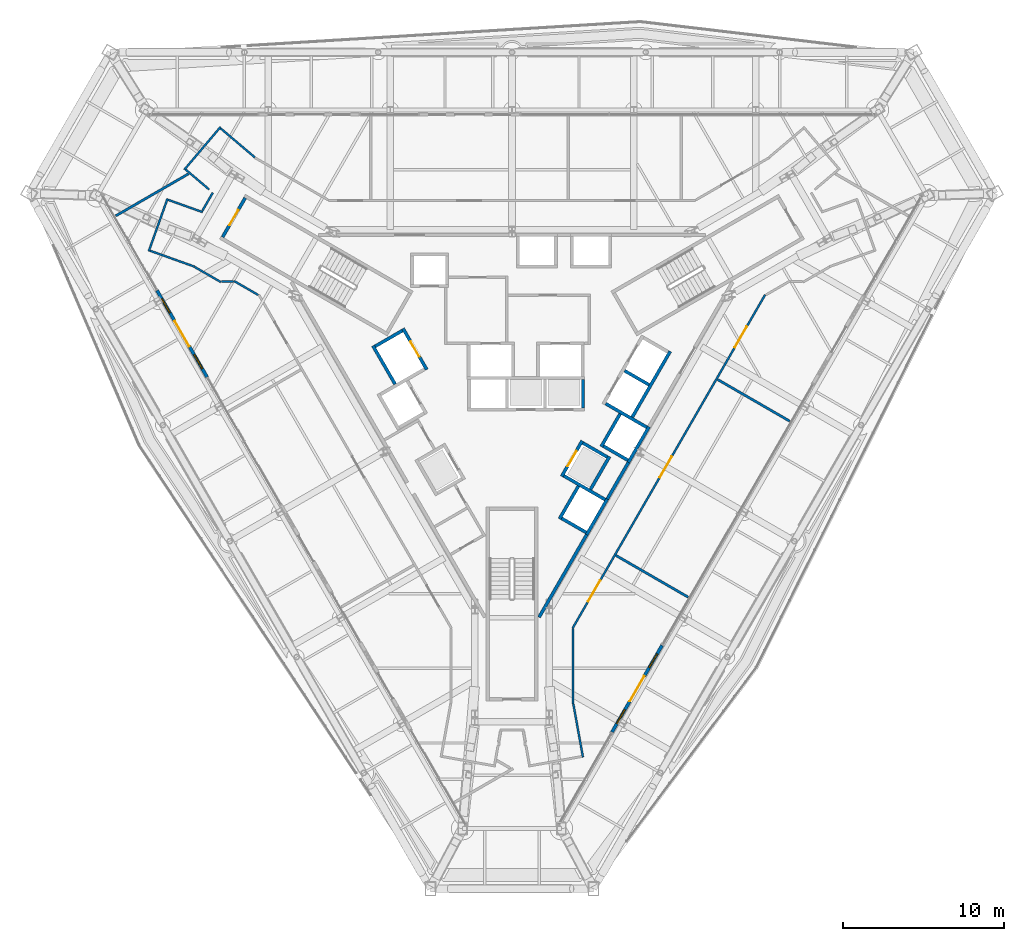
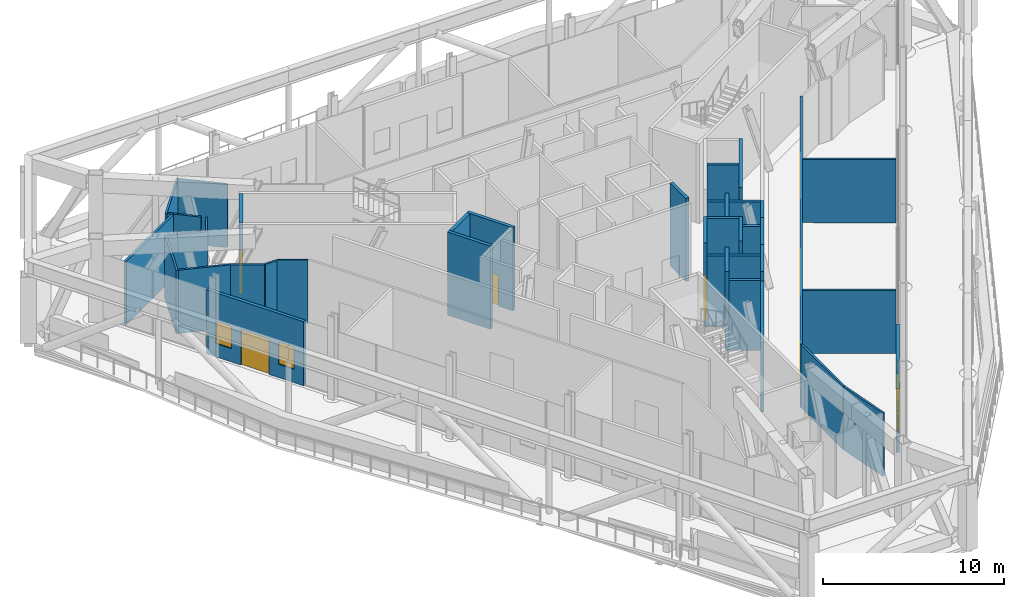
# One storey, part 16 of 25: 38 walls, 8 doors, 4 windows, 12 openings.
"""IFC4 building model written with IfcOpenShell, lengths in metres."""

from ifc_helpers import new_model, si_unit, direction, frame, frame_2d, origin, place, context, subcontext, project, spatial, rectangle, extrude, material, layer, layer_set, type_object, element, fill, save


model = new_model("IFC4")

# Units and contexts
model_context = context("Model", 3, precision=1e-05, world=origin(), true_north=direction((0.0, 1.0)))
body_context = subcontext(model_context, "Body", "Model", "MODEL_VIEW")
ifc_project = project(units=[si_unit("LENGTHUNIT", "METRE"), si_unit("AREAUNIT", "SQUARE_METRE"), si_unit("VOLUMEUNIT", "CUBIC_METRE"), si_unit("PLANEANGLEUNIT", "RADIAN"), si_unit("MASSUNIT", "GRAM", prefix="KILO")], contexts=[model_context])

# Site, building, storey
site_placement = place(None, origin())
site = spatial("IfcSite", under=ifc_project, at=site_placement, CompositionType="ELEMENT")
building_placement = place(site_placement, origin())
building = spatial("IfcBuilding", under=site, at=building_placement, Name="Verrane Prism Tower", CompositionType="ELEMENT")
storey_placement = place(building_placement, frame((0.0, 0.0, 143.199951171875)))
storey = spatial("IfcBuildingStorey", under=building, at=storey_placement, Name="L35", CompositionType="ELEMENT", Elevation=143.199951171875)

# Walls
ifc_material_1 = material(Name="Gypsum board partition", Category="other")
ifc_layer_1 = layer(ifc_material_1, 0.199951171875)
ifc_layer_set_1 = layer_set([ifc_layer_1], Name="CW-200 core boundary wall 2 h")
wall_type_1 = type_object("IfcWallType", Name="CW-200 core boundary wall 2 h", PredefinedType="PARTITIONING", material=ifc_layer_set_1)
wall_1_placement = place(storey_placement, frame((1.677490234375, -14.814697265625, 0.0), z_axis=(0.0, 0.0, 1.0), x_axis=(0.49999445743, 0.866028603765, 0.0)))
element("IfcWall", 1, at=wall_1_placement, inside=storey, type_object=wall_type_1, Name="Core boundary wall CW3-004", PredefinedType="PARTITIONING", context=body_context, shape_type="SweptSolid", body=[
    extrude(rectangle(XDim=5.90478515625, YDim=0.199951171875, at=frame_2d((2.952392578125, 0.0))), origin(), (0.0, 0.0, 1.0), 4.69677734375),
])
wall_2_placement = place(storey_placement, frame((5.906005859375, -7.489990234375, 0.0), z_axis=(0.0, 0.0, 1.0), x_axis=(0.500252727967, 0.865879442048, 0.0)))
element("IfcWall", 2, at=wall_2_placement, inside=storey, type_object=wall_type_1, Name="Core boundary wall CW3-006", PredefinedType="PARTITIONING", context=body_context, shape_type="SweptSolid", body=[
    extrude(rectangle(XDim=2.616943359375, YDim=0.199951171875, at=frame_2d((1.30859375, 0.0))), origin(), (0.0, 0.0, 1.0), 5.35009765625),
])

# Wall, opening, door
ifc_material_2 = material(Name="Concrete C40/50", Category="concrete")
ifc_layer_2 = layer(ifc_material_2, 0.199951171875)
ifc_layer_set_2 = layer_set([ifc_layer_2], Name="CW-200 stair core wall concrete C40/50 3 h")
wall_type_2 = type_object("IfcWallType", Name="CW-200 stair core wall concrete C40/50 3 h", PredefinedType="PARTITIONING", material=ifc_layer_set_2)
wall_3_placement = place(storey_placement, frame((-16.533935546875, 11.162353515625, 0.0), z_axis=(0.0, 0.0, 1.0), x_axis=(-0.49998411664, -0.866034573852, 0.0)))
wall_3 = element("IfcWall", 3, at=wall_3_placement, inside=storey, type_object=wall_type_2, Name="Stair 2 enclosure wall", PredefinedType="PARTITIONING", context=body_context, shape_type="SweptSolid", body=[
    extrude(rectangle(XDim=2.7998046875, YDim=0.199951171875, at=frame_2d((1.39990234375, 0.0))), origin(), (0.0, 0.0, 1.0), 5.35009765625),
])
opening_1_placement = place(wall_3_placement, frame((0.849853515625, 0.0, 0.0)))
opening_1 = element("IfcOpeningElement", 4, at=opening_1_placement, cuts=wall_3, Name="Opening D35501", PredefinedType="OPENING", context=body_context, shape_type="SweptSolid", body=[
    extrude(rectangle(XDim=1.10009765625, YDim=2.10009765625, at=frame_2d((0.550048828125, 1.050048828125))), frame((0.0, 0.10986328125, 0.0), z_axis=(0.0, -1.0, 0.0), x_axis=(1.0, 0.0, 0.0)), (0.0, 0.0, 1.0), 0.219970703125),
])
ifc_material_3 = material(Name="Timber veneered door leaf", Category="wood")
door_type_1 = type_object("IfcDoorType", Name="DR-1100x2100 FD90 single leaf stair", OperationType="NOTDEFINED", PredefinedType="DOOR", material=ifc_material_3)
door_1_placement = place(opening_1_placement, origin())
door_1 = element("IfcDoor", 5, at=door_1_placement, inside=storey, type_object=door_type_1, Name="Stair 2 door", OperationType="SINGLE_SWING_RIGHT", OverallHeight=2.10009765625, OverallWidth=1.10009765625, PredefinedType="DOOR", context=body_context, shape_type="SweptSolid", body=[
    extrude(rectangle(XDim=1.10009765625, YDim=2.10009765625, at=frame_2d((0.550048828125, 1.050048828125))), frame((0.0, 0.02490234375, 0.0), z_axis=(0.0, -1.0, 0.0), x_axis=(1.0, 0.0, 0.0)), (0.0, 0.0, 1.0), 0.050048828125),
])
fill(opening_1, door_1)

# Walls
ifc_material_4 = material(Name="Gypsum board shaft wall assembly", Category="other")
ifc_layer_3 = layer(ifc_material_4, 0.199951171875)
ifc_layer_set_3 = layer_set([ifc_layer_3], Name="HW-200 lift shaft wall 2 h")
wall_type_3 = type_object("IfcWallType", Name="HW-200 lift shaft wall 2 h", PredefinedType="PARTITIONING", material=ifc_layer_set_3)
wall_4_placement = place(storey_placement, frame((-8.48046875, 1.968505859375, 0.0), z_axis=(0.0, 0.0, 1.0), x_axis=(0.866000020948, 0.500043961785, 0.0)))
element("IfcWall", 6, at=wall_4_placement, inside=storey, type_object=wall_type_3, Name="Lift shaft wall", PredefinedType="PARTITIONING", context=body_context, shape_type="SweptSolid", body=[
    extrude(rectangle(XDim=1.949951171875, YDim=0.199951171875, at=frame_2d((0.97509765625, 0.0))), origin(), (0.0, 0.0, 1.0), 5.60009765625),
])
wall_5_placement = place(storey_placement, frame((4.63037109375, -9.69970703125, 0.0), z_axis=(0.0, 0.0, 1.0), x_axis=(0.500062241894, 0.865989465428, 0.0)))
element("IfcWall", 7, at=wall_5_placement, inside=storey, type_object=wall_type_3, Name="Lift shaft wall", PredefinedType="PARTITIONING", context=body_context, shape_type="SweptSolid", body=[
    extrude(rectangle(XDim=2.550048828125, YDim=0.199951171875, at=frame_2d((1.27490234375, 0.0))), origin(), (0.0, 0.0, 1.0), 5.35009765625),
])
wall_6_placement = place(storey_placement, frame((7.215576171875, -5.222412109375, 0.0), z_axis=(0.0, 0.0, 1.0), x_axis=(0.499990435942, 0.866030925526, 0.0)))
element("IfcWall", 8, at=wall_6_placement, inside=storey, type_object=wall_type_3, Name="Lift shaft wall", PredefinedType="PARTITIONING", context=body_context, shape_type="SweptSolid", body=[
    extrude(rectangle(XDim=2.5498046875, YDim=0.199951171875, at=frame_2d((1.27490234375, 0.0))), origin(), (0.0, 0.0, 1.0), 4.69677734375),
])
wall_7_placement = place(storey_placement, frame((4.8662109375, -6.891357421875, 0.0), z_axis=(0.0, 0.0, 1.0), x_axis=(0.500016218704, 0.866016039709, 0.0)))
element("IfcWall", 9, at=wall_7_placement, inside=storey, type_object=wall_type_3, Name="Lift shaft wall", PredefinedType="PARTITIONING", context=body_context, shape_type="SweptSolid", body=[
    extrude(rectangle(XDim=2.35009765625, YDim=0.199951171875, at=frame_2d((1.175048828125, 0.0))), origin(), (0.0, 0.0, 1.0), 5.60009765625),
])
wall_8_placement = place(storey_placement, frame((7.451171875, -2.4140625, 0.0), z_axis=(0.0, 0.0, 1.0), x_axis=(0.500016218704, 0.866016039709, 0.0)))
element("IfcWall", 10, at=wall_8_placement, inside=storey, type_object=wall_type_3, Name="Lift shaft wall", PredefinedType="PARTITIONING", context=body_context, shape_type="SweptSolid", body=[
    extrude(rectangle(XDim=4.699951171875, YDim=0.199951171875, at=frame_2d((2.35009765625, 0.0))), origin(), (0.0, 0.0, 1.0), 5.60009765625),
])
wall_9_placement = place(storey_placement, frame((2.941650390625, -8.724853515625, 0.0), z_axis=(0.0, 0.0, 1.0), x_axis=(0.500016218704, 0.866016039709, 0.0)))
element("IfcWall", 11, at=wall_9_placement, inside=storey, type_object=wall_type_3, Name="Lift shaft wall", PredefinedType="PARTITIONING", context=body_context, shape_type="SweptSolid", body=[
    extrude(rectangle(XDim=2.35009765625, YDim=0.199951171875, at=frame_2d((1.175048828125, 0.0))), origin(), (0.0, 0.0, 1.0), 5.35009765625),
])
wall_10_placement = place(storey_placement, frame((5.52685546875, -4.247314453125, 0.0), z_axis=(0.0, 0.0, 1.0), x_axis=(0.499938297808, 0.866061024631, 0.0)))
element("IfcWall", 12, at=wall_10_placement, inside=storey, type_object=wall_type_3, Name="Lift shaft wall", PredefinedType="PARTITIONING", context=body_context, shape_type="SweptSolid", body=[
    extrude(rectangle(XDim=2.349853515625, YDim=0.199951171875, at=frame_2d((1.1748046875, 0.0))), origin(), (0.0, 0.0, 1.0), 5.35009765625),
])

# Wall, opening, door
wall_11_placement = place(storey_placement, frame((3.077392578125, -6.089599609375, 0.0), z_axis=(0.0, 0.0, 1.0), x_axis=(0.500062241894, 0.865989465428, 0.0)))
wall_11 = element("IfcWall", 13, at=wall_11_placement, inside=storey, type_object=wall_type_3, Name="Lift shaft wall", PredefinedType="PARTITIONING", context=body_context, shape_type="SweptSolid", body=[
    extrude(rectangle(XDim=2.550048828125, YDim=0.199951171875, at=frame_2d((1.27490234375, 0.0))), origin(), (0.0, 0.0, 1.0), 5.60009765625),
])
opening_2_placement = place(wall_11_placement, frame((0.72509765625, 0.0, 0.0)))
opening_2 = element("IfcOpeningElement", 14, at=opening_2_placement, cuts=wall_11, Name="Opening D35509", PredefinedType="OPENING", context=body_context, shape_type="SweptSolid", body=[
    extrude(rectangle(XDim=1.10009765625, YDim=2.10009765625, at=frame_2d((0.550048828125, 1.050048828125))), frame((0.0, 0.10986328125, 0.0), z_axis=(0.0, -1.0, 0.0), x_axis=(1.0, 0.0, 0.0)), (0.0, 0.0, 1.0), 0.219970703125),
])
ifc_material_5 = material(Name="Stainless steel sliding landing door", Category="steel")
door_type_2 = type_object("IfcDoorType", Name="LD-1100x2100 lift landing door FD90 sliding", OperationType="NOTDEFINED", PredefinedType="DOOR", material=ifc_material_5)
door_2_placement = place(opening_2_placement, origin())
door_2 = element("IfcDoor", 15, at=door_2_placement, inside=storey, type_object=door_type_2, Name="Bank B lift 3 landing door", OperationType="SLIDING_TO_LEFT", OverallHeight=2.10009765625, OverallWidth=1.10009765625, PredefinedType="DOOR", context=body_context, shape_type="SweptSolid", body=[
    extrude(rectangle(XDim=1.10009765625, YDim=2.10009765625, at=frame_2d((0.550048828125, 1.050048828125))), frame((0.0, 0.02490234375, 0.0), z_axis=(0.0, -1.0, 0.0), x_axis=(1.0, 0.0, 0.0)), (0.0, 0.0, 1.0), 0.050048828125),
])
fill(opening_2, door_2)

# Wall
wall_12_placement = place(storey_placement, frame((4.39501953125, -1.85009765625, 0.0), z_axis=(0.0, 0.0, 1.0), x_axis=(0.0, 1.0, 0.0)))
element("IfcWall", 16, at=wall_12_placement, inside=storey, type_object=wall_type_3, Name="Lift shaft wall", PredefinedType="PARTITIONING", context=body_context, shape_type="SweptSolid", body=[
    extrude(rectangle(XDim=1.75, YDim=0.199951171875, at=frame_2d((0.875, 0.0))), origin(), (0.0, 0.0, 1.0), 5.60009765625),
])

# Wall, opening, door
wall_13_placement = place(storey_placement, frame((-5.280029296875, 0.525390625, 0.0), z_axis=(0.0, 0.0, 1.0), x_axis=(-0.500037662692, 0.866003658127, 0.0)))
wall_13 = element("IfcWall", 17, at=wall_13_placement, inside=storey, type_object=wall_type_3, Name="Lift shaft wall", PredefinedType="PARTITIONING", context=body_context, shape_type="SweptSolid", body=[
    extrude(rectangle(XDim=2.949951171875, YDim=0.199951171875, at=frame_2d((1.47509765625, 0.0))), origin(), (0.0, 0.0, 1.0), 5.60009765625),
])
opening_3_placement = place(wall_13_placement, frame((0.925048828125, 0.0, 0.0)))
opening_3 = element("IfcOpeningElement", 18, at=opening_3_placement, cuts=wall_13, Name="Opening D35513", PredefinedType="OPENING", context=body_context, shape_type="SweptSolid", body=[
    extrude(rectangle(XDim=1.10009765625, YDim=2.10009765625, at=frame_2d((0.550048828125, 1.050048828125))), frame((0.0, 0.10986328125, 0.0), z_axis=(0.0, -1.0, 0.0), x_axis=(1.0, 0.0, 0.0)), (0.0, 0.0, 1.0), 0.219970703125),
])
door_3_placement = place(opening_3_placement, origin())
door_3 = element("IfcDoor", 19, at=door_3_placement, inside=storey, type_object=door_type_2, Name="Service lift 1 landing door", OperationType="SLIDING_TO_LEFT", OverallHeight=2.10009765625, OverallWidth=1.10009765625, PredefinedType="DOOR", context=body_context, shape_type="SweptSolid", body=[
    extrude(rectangle(XDim=1.10009765625, YDim=2.10009765625, at=frame_2d((0.550048828125, 1.050048828125))), frame((0.0, 0.02490234375, 0.0), z_axis=(0.0, -1.0, 0.0), x_axis=(1.0, 0.0, 0.0)), (0.0, 0.0, 1.0), 0.050048828125),
])
fill(opening_3, door_3)

# Walls
wall_14_placement = place(storey_placement, frame((-7.241943359375, -0.37646484375, 0.0), z_axis=(0.0, 0.0, 1.0), x_axis=(-0.499996545922, 0.866027397988, 0.0)))
element("IfcWall", 20, at=wall_14_placement, inside=storey, type_object=wall_type_3, Name="Lift shaft wall", PredefinedType="PARTITIONING", context=body_context, shape_type="SweptSolid", body=[
    extrude(rectangle(XDim=2.75, YDim=0.199951171875, at=frame_2d((1.375, 0.0))), origin(), (0.0, 0.0, 1.0), 5.60009765625),
])
wall_15_placement = place(storey_placement, frame((8.48974609375, -0.41552734375, 0.0), z_axis=(0.0, 0.0, 1.0), x_axis=(-0.866036909293, 0.499980071345, 0.0)))
element("IfcWall", 21, at=wall_15_placement, inside=storey, type_object=wall_type_3, Name="Lift shaft wall", PredefinedType="PARTITIONING", context=body_context, shape_type="SweptSolid", body=[
    extrude(rectangle(XDim=1.75, YDim=0.199951171875, at=frame_2d((0.875, 0.0))), origin(), (0.0, 0.0, 1.0), 5.60009765625),
])
wall_16_placement = place(storey_placement, frame((8.35400390625, -3.050537109375, 0.0), z_axis=(0.0, 0.0, 1.0), x_axis=(-0.866060182126, 0.499939757307, 0.0)))
element("IfcWall", 22, at=wall_16_placement, inside=storey, type_object=wall_type_3, Name="Lift shaft wall", PredefinedType="PARTITIONING", context=body_context, shape_type="SweptSolid", body=[
    extrude(rectangle(XDim=2.949951171875, YDim=0.199951171875, at=frame_2d((1.47509765625, 0.0))), origin(), (0.0, 0.0, 1.0), 4.73291015625),
])
wall_17_placement = place(storey_placement, frame((7.178955078125, -5.085693359375, 0.0), z_axis=(0.0, 0.0, 1.0), x_axis=(-0.866036909293, 0.499980071345, 0.0)))
element("IfcWall", 23, at=wall_17_placement, inside=storey, type_object=wall_type_3, Name="Lift shaft wall", PredefinedType="PARTITIONING", context=body_context, shape_type="SweptSolid", body=[
    extrude(rectangle(XDim=1.75, YDim=0.199951171875, at=frame_2d((0.875, 0.0))), origin(), (0.0, 0.0, 1.0), 4.73291015625),
])
wall_18_placement = place(storey_placement, frame((5.904541015625, -4.892822265625, 0.0), z_axis=(0.0, 0.0, 1.0), x_axis=(-0.866002029911, 0.500040482552, 0.0)))
element("IfcWall", 24, at=wall_18_placement, inside=storey, type_object=wall_type_3, Name="Lift shaft wall", PredefinedType="PARTITIONING", context=body_context, shape_type="SweptSolid", body=[
    extrude(rectangle(XDim=1.749755859375, YDim=0.199951171875, at=frame_2d((0.875, 0.0))), origin(), (0.0, 0.0, 1.0), 5.60009765625),
])
wall_19_placement = place(storey_placement, frame((5.768798828125, -7.528076171875, 0.0), z_axis=(0.0, 0.0, 1.0), x_axis=(-0.866003658127, 0.500037662692, 0.0)))
element("IfcWall", 25, at=wall_19_placement, inside=storey, type_object=wall_type_3, Name="Lift shaft wall", PredefinedType="PARTITIONING", context=body_context, shape_type="SweptSolid", body=[
    extrude(rectangle(XDim=2.949951171875, YDim=0.199951171875, at=frame_2d((1.47509765625, 0.0))), origin(), (0.0, 0.0, 1.0), 4.73291015625),
])
wall_20_placement = place(storey_placement, frame((4.593994140625, -9.563232421875, 0.0), z_axis=(0.0, 0.0, 1.0), x_axis=(-0.866036909293, 0.499980071345, 0.0)))
element("IfcWall", 26, at=wall_20_placement, inside=storey, type_object=wall_type_3, Name="Lift shaft wall", PredefinedType="PARTITIONING", context=body_context, shape_type="SweptSolid", body=[
    extrude(rectangle(XDim=1.75, YDim=0.199951171875, at=frame_2d((0.875, 0.0))), origin(), (0.0, 0.0, 1.0), 4.73291015625),
])
ifc_material_6 = material(Name="Gypsum board partition", Category="other")
ifc_layer_4 = layer(ifc_material_6, 0.125)
ifc_layer_set_4 = layer_set([ifc_layer_4], Name="PW-125 corridor wall 1 h")
wall_type_4 = type_object("IfcWallType", Name="PW-125 corridor wall 1 h", PredefinedType="PARTITIONING", material=ifc_layer_set_4)
wall_21_placement = place(storey_placement, frame((-22.508056640625, 7.856201171875, 0.0), z_axis=(0.0, 0.0, 1.0), x_axis=(0.335547849287, 0.942023163642, 0.0)))
element("IfcWall", 27, at=wall_21_placement, inside=storey, type_object=wall_type_4, Name="Corridor wall 002", PredefinedType="PARTITIONING", context=body_context, shape_type="SweptSolid", body=[
    extrude(rectangle(XDim=3.47216796875, YDim=0.125, at=frame_2d((1.736083984375, 0.0))), origin(), (0.0, 0.0, 1.0), 4.261962890625),
])
wall_22_placement = place(storey_placement, frame((-22.42578125, 7.89306640625, 0.0), z_axis=(0.0, 0.0, 1.0), x_axis=(0.94150714771, -0.336993013001, 0.0)))
element("IfcWall", 28, at=wall_22_placement, inside=storey, type_object=wall_type_4, Name="Corridor wall 003", PredefinedType="PARTITIONING", context=body_context, shape_type="SweptSolid", body=[
    extrude(rectangle(XDim=2.92041015625, YDim=0.125, at=frame_2d((1.460205078125, 0.0))), origin(), (0.0, 0.0, 1.0), 4.261962890625),
])
wall_23_placement = place(storey_placement, frame((-21.302734375, 11.046142578125, 0.0), z_axis=(0.0, 0.0, 1.0), x_axis=(0.941644548389, -0.336608889499, 0.0)))
element("IfcWall", 29, at=wall_23_placement, inside=storey, type_object=wall_type_4, Name="Corridor wall 004", PredefinedType="PARTITIONING", context=body_context, shape_type="SweptSolid", body=[
    extrude(rectangle(XDim=2.270263671875, YDim=0.125, at=frame_2d((1.13525390625, 0.0))), origin(), (0.0, 0.0, 1.0), 4.261962890625),
])
wall_24_placement = place(storey_placement, frame((-20.21533203125, 12.9189453125, 0.0), z_axis=(0.0, 0.0, 1.0), x_axis=(0.762459174638, -0.647036325881, 0.0)))
element("IfcWall", 30, at=wall_24_placement, inside=storey, type_object=wall_type_4, Name="Corridor wall 005", PredefinedType="PARTITIONING", context=body_context, shape_type="SweptSolid", body=[
    extrude(rectangle(XDim=1.8994140625, YDim=0.125, at=frame_2d((0.94970703125, 0.0))), origin(), (0.0, 0.0, 1.0), 4.261962890625),
])
wall_25_placement = place(storey_placement, frame((-20.305419921875, 12.913330078125, 0.0), z_axis=(0.0, 0.0, 1.0), x_axis=(0.646921713651, 0.762556421785, 0.0)))
element("IfcWall", 31, at=wall_25_placement, inside=storey, type_object=wall_type_4, Name="Corridor wall 006", PredefinedType="PARTITIONING", context=body_context, shape_type="SweptSolid", body=[
    extrude(rectangle(XDim=3.47314453125, YDim=0.125, at=frame_2d((1.736572265625, 0.0))), origin(), (0.0, 0.0, 1.0), 4.261962890625),
])
wall_26_placement = place(storey_placement, frame((-19.670166015625, 6.892578125, 0.0), z_axis=(0.0, 0.0, 1.0), x_axis=(0.866066508296, -0.499928798138, 0.0)))
element("IfcWall", 32, at=wall_26_placement, inside=storey, type_object=wall_type_4, Name="Corridor wall 007", PredefinedType="PARTITIONING", context=body_context, shape_type="SweptSolid", body=[
    extrude(rectangle(XDim=1.877685546875, YDim=0.125, at=frame_2d((0.93896484375, 0.0))), origin(), (0.0, 0.0, 1.0), 4.261962890625),
])
wall_27_placement = place(storey_placement, frame((-19.1865234375, 10.367919921875, 0.0), z_axis=(0.0, 0.0, 1.0), x_axis=(0.500318258544, 0.86584157914, 0.0)))
element("IfcWall", 33, at=wall_27_placement, inside=storey, type_object=wall_type_4, Name="Corridor wall 008", PredefinedType="PARTITIONING", context=body_context, shape_type="SweptSolid", body=[
    extrude(rectangle(XDim=1.300537109375, YDim=0.125, at=frame_2d((0.650390625, 0.0))), origin(), (0.0, 0.0, 1.0), 4.261962890625),
])
wall_28_placement = place(storey_placement, frame((-18.04931640625, 15.471923828125, 0.0), z_axis=(0.0, 0.0, 1.0), x_axis=(0.762579987285, -0.646893934886, 0.0)))
element("IfcWall", 34, at=wall_28_placement, inside=storey, type_object=wall_type_4, Name="Corridor wall 009", PredefinedType="PARTITIONING", context=body_context, shape_type="SweptSolid", body=[
    extrude(rectangle(XDim=2.781494140625, YDim=0.125, at=frame_2d((1.390625, 0.0))), origin(), (0.0, 0.0, 1.0), 4.261962890625),
])
wall_29_placement = place(storey_placement, frame((-18.012939453125, 5.985107421875, 0.0), z_axis=(0.0, 0.0, 1.0), x_axis=(1.0, 0.0, 0.0)))
element("IfcWall", 35, at=wall_29_placement, inside=storey, type_object=wall_type_4, Name="Corridor wall 010", PredefinedType="PARTITIONING", context=body_context, shape_type="SweptSolid", body=[
    extrude(rectangle(XDim=0.761962890625, YDim=0.125, at=frame_2d((0.380859375, 0.0))), origin(), (0.0, 0.0, 1.0), 4.261962890625),
])
wall_30_placement = place(storey_placement, frame((-17.22021484375, 6.016357421875, 0.0), z_axis=(0.0, 0.0, 1.0), x_axis=(0.865916841101, -0.500187988959, 0.0)))
element("IfcWall", 36, at=wall_30_placement, inside=storey, type_object=wall_type_4, Name="Corridor wall 012", PredefinedType="PARTITIONING", context=body_context, shape_type="SweptSolid", body=[
    extrude(rectangle(XDim=1.724853515625, YDim=0.125, at=frame_2d((0.8623046875, 0.0))), origin(), (0.0, 0.0, 1.0), 4.261962890625),
])
wall_31_placement = place(storey_placement, frame((3.787109375, -20.176513671875, 0.0), z_axis=(0.0, 0.0, 1.0), x_axis=(0.0, 1.0, 0.0)))
element("IfcWall", 37, at=wall_31_placement, inside=storey, type_object=wall_type_4, Name="Corridor wall 032", PredefinedType="PARTITIONING", context=body_context, shape_type="SweptSolid", body=[
    extrude(rectangle(XDim=4.651611328125, YDim=0.125, at=frame_2d((2.32568359375, 0.0))), origin(), (0.0, 0.0, 1.0), 4.261962890625),
])
wall_32_placement = place(storey_placement, frame((3.80029296875, -20.187744140625, 0.0), z_axis=(0.0, 0.0, 1.0), x_axis=(0.177702081888, -0.984084330783, 0.0)))
element("IfcWall", 38, at=wall_32_placement, inside=storey, type_object=wall_type_4, Name="Corridor wall 033", PredefinedType="PARTITIONING", context=body_context, shape_type="SweptSolid", body=[
    extrude(rectangle(XDim=3.359130859375, YDim=0.125, at=frame_2d((1.6796875, 0.0))), origin(), (0.0, 0.0, 1.0), 4.261962890625),
])

# Wall, openings, doors
wall_33_placement = place(storey_placement, frame((15.684326171875, 5.1650390625, 0.0), z_axis=(0.0, 0.0, 1.0), x_axis=(-0.500027787016, -0.866009360349, 0.0)))
wall_33 = element("IfcWall", 39, at=wall_33_placement, inside=storey, type_object=wall_type_4, Name="Corridor wall 034", PredefinedType="PARTITIONING", context=body_context, shape_type="SweptSolid", body=[
    extrude(rectangle(XDim=23.855712890625, YDim=0.125, at=frame_2d((11.927734375, 0.0))), origin(), (0.0, 0.0, 1.0), 4.261962890625),
])
opening_4_placement = place(wall_33_placement, frame((20.443115234375, 0.0, 0.0)))
opening_4 = element("IfcOpeningElement", 40, at=opening_4_placement, cuts=wall_33, Name="Opening D35008", PredefinedType="OPENING", context=body_context, shape_type="SweptSolid", body=[
    extrude(rectangle(XDim=1.5, YDim=2.10009765625, at=frame_2d((0.75, 1.050048828125))), frame((0.0, 0.072509765625, 0.0), z_axis=(0.0, -1.0, 0.0), x_axis=(1.0, 0.0, 0.0)), (0.0, 0.0, 1.0), 0.14501953125),
])
opening_5_placement = place(wall_33_placement, frame((11.560302734375, 0.0, 0.0)))
opening_5 = element("IfcOpeningElement", 41, at=opening_5_placement, cuts=wall_33, Name="Opening D35009", PredefinedType="OPENING", context=body_context, shape_type="SweptSolid", body=[
    extrude(rectangle(XDim=1.5, YDim=2.10009765625, at=frame_2d((0.75, 1.050048828125))), frame((0.0, 0.072509765625, 0.0), z_axis=(0.0, -1.0, 0.0), x_axis=(1.0, 0.0, 0.0)), (0.0, 0.0, 1.0), 0.14501953125),
])
opening_6_placement = place(wall_33_placement, frame((2.270263671875, 0.0, 0.0)))
opening_6 = element("IfcOpeningElement", 42, at=opening_6_placement, cuts=wall_33, Name="Opening D35010", PredefinedType="OPENING", context=body_context, shape_type="SweptSolid", body=[
    extrude(rectangle(XDim=1.5, YDim=2.10009765625, at=frame_2d((0.75, 1.050048828125))), frame((0.0, 0.072509765625, 0.0), z_axis=(0.0, -1.0, 0.0), x_axis=(1.0, 0.0, 0.0)), (0.0, 0.0, 1.0), 0.14501953125),
])
ifc_material_7 = material(Name="Timber veneered door leaf", Category="wood")
door_type_3 = type_object("IfcDoorType", Name="DR-1500x2100 FD60 double leaf unit", OperationType="NOTDEFINED", PredefinedType="DOOR", material=ifc_material_7)
door_4_placement = place(opening_4_placement, origin())
door_4 = element("IfcDoor", 43, at=door_4_placement, inside=storey, type_object=door_type_3, Name="Refuge Area door", OperationType="DOUBLE_DOOR_SINGLE_SWING", OverallHeight=2.10009765625, OverallWidth=1.5, PredefinedType="DOOR", context=body_context, shape_type="SweptSolid", body=[
    extrude(rectangle(XDim=1.5, YDim=2.10009765625, at=frame_2d((0.75, 1.050048828125))), frame((0.0, 0.02490234375, 0.0), z_axis=(0.0, -1.0, 0.0), x_axis=(1.0, 0.0, 0.0)), (0.0, 0.0, 1.0), 0.050048828125),
])
fill(opening_4, door_4)
door_5_placement = place(opening_5_placement, origin())
door_5 = element("IfcDoor", 44, at=door_5_placement, inside=storey, type_object=door_type_3, Name="Mechanical Plant Room door", OperationType="DOUBLE_DOOR_SINGLE_SWING", OverallHeight=2.10009765625, OverallWidth=1.5, PredefinedType="DOOR", context=body_context, shape_type="SweptSolid", body=[
    extrude(rectangle(XDim=1.5, YDim=2.10009765625, at=frame_2d((0.75, 1.050048828125))), frame((0.0, 0.02490234375, 0.0), z_axis=(0.0, -1.0, 0.0), x_axis=(1.0, 0.0, 0.0)), (0.0, 0.0, 1.0), 0.050048828125),
])
fill(opening_5, door_5)
door_6_placement = place(opening_6_placement, origin())
door_6 = element("IfcDoor", 45, at=door_6_placement, inside=storey, type_object=door_type_3, Name="Refuge Area door", OperationType="DOUBLE_DOOR_SINGLE_SWING", OverallHeight=2.10009765625, OverallWidth=1.5, PredefinedType="DOOR", context=body_context, shape_type="SweptSolid", body=[
    extrude(rectangle(XDim=1.5, YDim=2.10009765625, at=frame_2d((0.75, 1.050048828125))), frame((0.0, 0.02490234375, 0.0), z_axis=(0.0, -1.0, 0.0), x_axis=(1.0, 0.0, 0.0)), (0.0, 0.0, 1.0), 0.050048828125),
])
fill(opening_6, door_6)

# Walls
ifc_material_8 = material(Name="Gypsum board partition", Category="other")
ifc_layer_5 = layer(ifc_material_8, 0.14990234375)
ifc_layer_set_5 = layer_set([ifc_layer_5], Name="PW-150 demising wall 1 h")
wall_type_5 = type_object("IfcWallType", Name="PW-150 demising wall 1 h", PredefinedType="PARTITIONING", material=ifc_layer_set_5)
wall_34_placement = place(storey_placement, frame((-24.5517578125, 10.054931640625, 0.0), z_axis=(0.0, 0.0, 1.0), x_axis=(0.865959859482, 0.500113508882, 0.0)))
element("IfcWall", 46, at=wall_34_placement, inside=storey, type_object=wall_type_5, Name="Demising wall 001", PredefinedType="PARTITIONING", context=body_context, shape_type="SweptSolid", body=[
    extrude(rectangle(XDim=5.205810546875, YDim=0.14990234375, at=frame_2d((2.60302734375, 0.0))), origin(), (0.0, 0.0, 1.0), 4.261962890625),
])
wall_35_placement = place(storey_placement, frame((6.43310546875, -10.983154296875, 0.0), z_axis=(0.0, 0.0, 1.0), x_axis=(0.866006353889, -0.500032993936, 0.0)))
element("IfcWall", 47, at=wall_35_placement, inside=storey, type_object=wall_type_5, Name="Demising wall 035", PredefinedType="PARTITIONING", context=body_context, shape_type="SweptSolid", body=[
    extrude(rectangle(XDim=5.172119140625, YDim=0.14990234375, at=frame_2d((2.5859375, 0.0))), origin(), (0.0, 0.0, 1.0), 4.261962890625),
])
wall_36_placement = place(storey_placement, frame((12.732421875, -0.081787109375, 0.0), z_axis=(0.0, 0.0, 1.0), x_axis=(0.865989662226, -0.500061901086, 0.0)))
element("IfcWall", 48, at=wall_36_placement, inside=storey, type_object=wall_type_5, Name="Demising wall 038", PredefinedType="PARTITIONING", context=body_context, shape_type="SweptSolid", body=[
    extrude(rectangle(XDim=5.167236328125, YDim=0.14990234375, at=frame_2d((2.58349609375, 0.0))), origin(), (0.0, 0.0, 1.0), 4.261962890625),
])

# Wall, openings, door, windows
ifc_material_9 = material(Name="Aluminium framed insulated glazing", Category="aluminium")
ifc_layer_6 = layer(ifc_material_9, 0.199951171875)
ifc_layer_set_6 = layer_set([ifc_layer_6], Name="Refuge screen wall 200")
wall_type_6 = type_object("IfcWallType", Name="Refuge screen wall 200", PredefinedType="SOLIDWALL", material=ifc_layer_set_6)
wall_37_placement = place(storey_placement, frame((-21.9951171875, 5.4345703125, 0.0), z_axis=(0.0, 0.0, 1.0), x_axis=(0.500009909098, -0.866019682689, 0.0)))
wall_37 = element("IfcWall", 49, at=wall_37_placement, inside=storey, type_object=wall_type_6, Name="Refuge screen wall south-west face L35", PredefinedType="SOLIDWALL", context=body_context, shape_type="SweptSolid", body=[
    extrude(rectangle(XDim=6.199951171875, YDim=0.199951171875, at=frame_2d((3.10009765625, 0.0))), origin(), (0.0, 0.0, 1.0), 4.322509765625),
])
opening_7_placement = place(wall_37_placement, frame((0.60009765625, 0.0, 0.89990234375)))
opening_7 = element("IfcOpeningElement", 50, at=opening_7_placement, cuts=wall_37, Name="Opening W35705", PredefinedType="OPENING", context=body_context, shape_type="SweptSolid", body=[
    extrude(rectangle(XDim=1.0, YDim=1.5, at=frame_2d((0.5, 0.75))), frame((0.0, 0.10986328125, 0.0), z_axis=(0.0, -1.0, 0.0), x_axis=(1.0, 0.0, 0.0)), (0.0, 0.0, 1.0), 0.219970703125),
])
opening_8_placement = place(wall_37_placement, frame((2.199951171875, 0.0, 0.0)))
opening_8 = element("IfcOpeningElement", 51, at=opening_8_placement, cuts=wall_37, Name="Opening D35703", PredefinedType="OPENING", context=body_context, shape_type="SweptSolid", body=[
    extrude(rectangle(XDim=1.800048828125, YDim=2.39990234375, at=frame_2d((0.89990234375, 1.199951171875))), frame((0.0, 0.10986328125, 0.0), z_axis=(0.0, -1.0, 0.0), x_axis=(1.0, 0.0, 0.0)), (0.0, 0.0, 1.0), 0.219970703125),
])
opening_9_placement = place(wall_37_placement, frame((4.60009765625, 0.0, 0.89990234375)))
opening_9 = element("IfcOpeningElement", 52, at=opening_9_placement, cuts=wall_37, Name="Opening W35706", PredefinedType="OPENING", context=body_context, shape_type="SweptSolid", body=[
    extrude(rectangle(XDim=1.0, YDim=1.5, at=frame_2d((0.5, 0.75))), frame((0.0, 0.10986328125, 0.0), z_axis=(0.0, -1.0, 0.0), x_axis=(1.0, 0.0, 0.0)), (0.0, 0.0, 1.0), 0.219970703125),
])
ifc_material_10 = material(Name="Aluminium framed glazing", Category="aluminium")
door_type_4 = type_object("IfcDoorType", Name="DR-1800x2400 double glazed garden door", OperationType="DOUBLE_DOOR_SINGLE_SWING", PredefinedType="DOOR", material=ifc_material_10)
door_7_placement = place(opening_8_placement, frame((1.800048828125, 0.0, 0.0), z_axis=(0.0, 0.0, 1.0), x_axis=(-1.0, 0.0, 0.0)))
door_7 = element("IfcDoor", 53, at=door_7_placement, inside=storey, type_object=door_type_4, Name="Refuge terrace door D35703", OperationType="DOUBLE_DOOR_SINGLE_SWING", OverallHeight=2.39990234375, OverallWidth=1.800048828125, PredefinedType="DOOR", context=body_context, shape_type="SweptSolid", body=[
    extrude(rectangle(XDim=1.800048828125, YDim=2.39990234375, at=frame_2d((0.89990234375, 1.199951171875))), frame((0.0, 0.02490234375, 0.0), z_axis=(0.0, -1.0, 0.0), x_axis=(1.0, 0.0, 0.0)), (0.0, 0.0, 1.0), 0.050048828125),
])
fill(opening_8, door_7)
ifc_material_11 = material(Name="Aluminium framed glazing", Category="aluminium")
window_type = type_object("IfcWindowType", Name="Vent window 1000x1500 top hung", PartitioningType="SINGLE_PANEL", PredefinedType="WINDOW", material=ifc_material_11)
window_1_placement = place(opening_7_placement, origin())
window_1 = element("IfcWindow", 54, at=window_1_placement, inside=storey, type_object=window_type, Name="Vent window W35705", OverallHeight=1.5, OverallWidth=1.0, PartitioningType="SINGLE_PANEL", PredefinedType="WINDOW", context=body_context, shape_type="SweptSolid", body=[
    extrude(rectangle(XDim=1.0, YDim=1.5, at=frame_2d((0.5, 0.75))), frame((0.0, 0.030029296875, 0.0), z_axis=(0.0, -1.0, 0.0), x_axis=(1.0, 0.0, 0.0)), (0.0, 0.0, 1.0), 0.06005859375),
])
fill(opening_7, window_1)
window_2_placement = place(opening_9_placement, origin())
window_2 = element("IfcWindow", 55, at=window_2_placement, inside=storey, type_object=window_type, Name="Vent window W35706", OverallHeight=1.5, OverallWidth=1.0, PartitioningType="SINGLE_PANEL", PredefinedType="WINDOW", context=body_context, shape_type="SweptSolid", body=[
    extrude(rectangle(XDim=1.0, YDim=1.5, at=frame_2d((0.5, 0.75))), frame((0.0, 0.030029296875, 0.0), z_axis=(0.0, -1.0, 0.0), x_axis=(1.0, 0.0, 0.0)), (0.0, 0.0, 1.0), 0.06005859375),
])
fill(opening_9, window_2)

wall_38_placement = place(storey_placement, frame((6.197265625, -21.927978515625, 0.0), z_axis=(0.0, 0.0, 1.0), x_axis=(0.500009909098, 0.866019682689, 0.0)))
wall_38 = element("IfcWall", 56, at=wall_38_placement, inside=storey, type_object=wall_type_6, Name="Refuge screen wall south-east face L35", PredefinedType="SOLIDWALL", context=body_context, shape_type="SweptSolid", body=[
    extrude(rectangle(XDim=6.199951171875, YDim=0.199951171875, at=frame_2d((3.10009765625, 0.0))), origin(), (0.0, 0.0, 1.0), 4.322509765625),
])
opening_10_placement = place(wall_38_placement, frame((0.60009765625, 0.0, 0.89990234375)))
opening_10 = element("IfcOpeningElement", 57, at=opening_10_placement, cuts=wall_38, Name="Opening W35711", PredefinedType="OPENING", context=body_context, shape_type="SweptSolid", body=[
    extrude(rectangle(XDim=1.0, YDim=1.5, at=frame_2d((0.5, 0.75))), frame((0.0, 0.10986328125, 0.0), z_axis=(0.0, -1.0, 0.0), x_axis=(1.0, 0.0, 0.0)), (0.0, 0.0, 1.0), 0.219970703125),
])
opening_11_placement = place(wall_38_placement, frame((2.199951171875, 0.0, 0.0)))
opening_11 = element("IfcOpeningElement", 58, at=opening_11_placement, cuts=wall_38, Name="Opening D35706", PredefinedType="OPENING", context=body_context, shape_type="SweptSolid", body=[
    extrude(rectangle(XDim=1.800048828125, YDim=2.39990234375, at=frame_2d((0.89990234375, 1.199951171875))), frame((0.0, 0.10986328125, 0.0), z_axis=(0.0, -1.0, 0.0), x_axis=(1.0, 0.0, 0.0)), (0.0, 0.0, 1.0), 0.219970703125),
])
opening_12_placement = place(wall_38_placement, frame((4.60009765625, 0.0, 0.89990234375)))
opening_12 = element("IfcOpeningElement", 59, at=opening_12_placement, cuts=wall_38, Name="Opening W35712", PredefinedType="OPENING", context=body_context, shape_type="SweptSolid", body=[
    extrude(rectangle(XDim=1.0, YDim=1.5, at=frame_2d((0.5, 0.75))), frame((0.0, 0.10986328125, 0.0), z_axis=(0.0, -1.0, 0.0), x_axis=(1.0, 0.0, 0.0)), (0.0, 0.0, 1.0), 0.219970703125),
])
door_8_placement = place(opening_11_placement, frame((1.800048828125, 0.0, 0.0), z_axis=(0.0, 0.0, 1.0), x_axis=(-1.0, 0.0, 0.0)))
door_8 = element("IfcDoor", 60, at=door_8_placement, inside=storey, type_object=door_type_4, Name="Refuge terrace door D35706", OperationType="DOUBLE_DOOR_SINGLE_SWING", OverallHeight=2.39990234375, OverallWidth=1.800048828125, PredefinedType="DOOR", context=body_context, shape_type="SweptSolid", body=[
    extrude(rectangle(XDim=1.800048828125, YDim=2.39990234375, at=frame_2d((0.89990234375, 1.199951171875))), frame((0.0, 0.02490234375, 0.0), z_axis=(0.0, -1.0, 0.0), x_axis=(1.0, 0.0, 0.0)), (0.0, 0.0, 1.0), 0.050048828125),
])
fill(opening_11, door_8)
window_3_placement = place(opening_10_placement, origin())
window_3 = element("IfcWindow", 61, at=window_3_placement, inside=storey, type_object=window_type, Name="Vent window W35711", OverallHeight=1.5, OverallWidth=1.0, PartitioningType="SINGLE_PANEL", PredefinedType="WINDOW", context=body_context, shape_type="SweptSolid", body=[
    extrude(rectangle(XDim=1.0, YDim=1.5, at=frame_2d((0.5, 0.75))), frame((0.0, 0.030029296875, 0.0), z_axis=(0.0, -1.0, 0.0), x_axis=(1.0, 0.0, 0.0)), (0.0, 0.0, 1.0), 0.06005859375),
])
fill(opening_10, window_3)
window_4_placement = place(opening_12_placement, origin())
window_4 = element("IfcWindow", 62, at=window_4_placement, inside=storey, type_object=window_type, Name="Vent window W35712", OverallHeight=1.5, OverallWidth=1.0, PartitioningType="SINGLE_PANEL", PredefinedType="WINDOW", context=body_context, shape_type="SweptSolid", body=[
    extrude(rectangle(XDim=1.0, YDim=1.5, at=frame_2d((0.5, 0.75))), frame((0.0, 0.030029296875, 0.0), z_axis=(0.0, -1.0, 0.0), x_axis=(1.0, 0.0, 0.0)), (0.0, 0.0, 1.0), 0.06005859375),
])
fill(opening_12, window_4)

save(model, "model.ifc")
